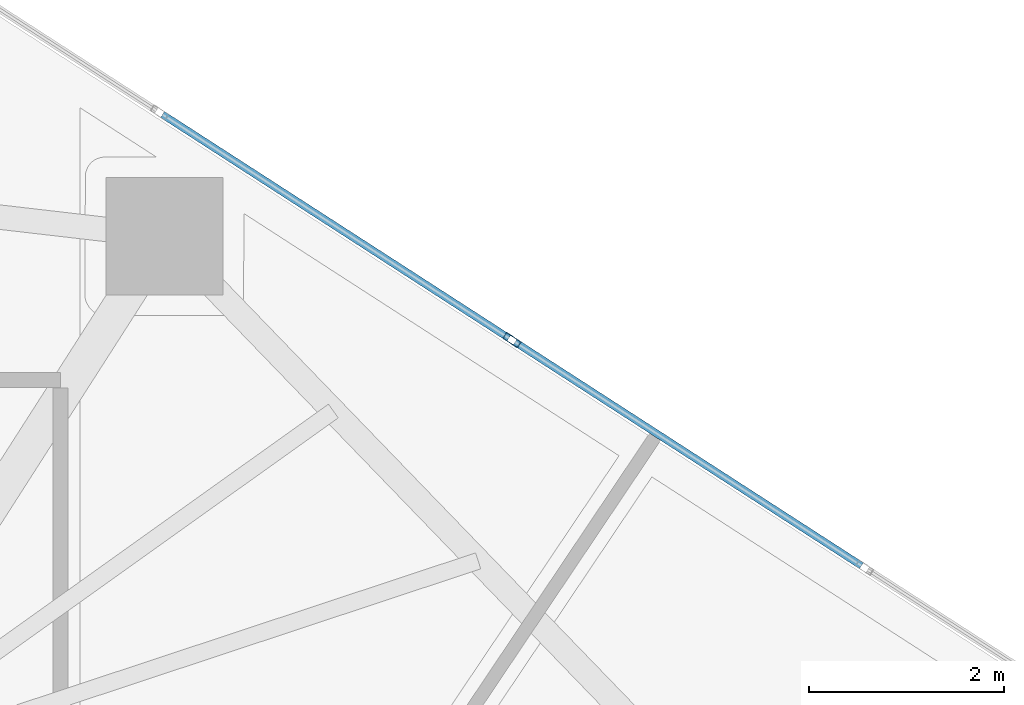
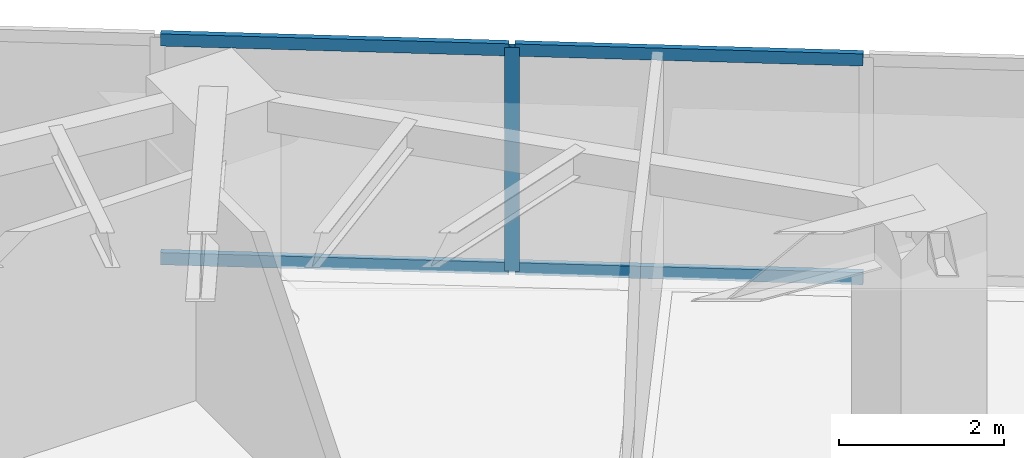
# One storey, part 14 of 20: 5 members, 1 element without a shape of its own.
"""IFC4 building model written with IfcOpenShell, lengths in metres."""

from ifc_helpers import new_model, si_unit, direction, frame, origin, origin_2d, place, context, subcontext, project, spatial, hollow_rectangle, extrude, source, transform, mapped, material, layer, layer_set, material_profile, profile_set, type_object, type_shapes, element, aggregate, save


model = new_model("IFC4")

# Units and contexts
model_context = context("Model", 3, precision=1e-05, world=origin(), true_north=direction((0.0, 1.0)))
body_context = subcontext(model_context, "Body", "Model", "MODEL_VIEW")
ifc_project = project(units=[si_unit("LENGTHUNIT", "METRE"), si_unit("AREAUNIT", "SQUARE_METRE"), si_unit("VOLUMEUNIT", "CUBIC_METRE"), si_unit("PLANEANGLEUNIT", "RADIAN"), si_unit("MASSUNIT", "GRAM", prefix="KILO")], contexts=[model_context])

# Site, building, storey
site_placement = place(None, origin())
site = spatial("IfcSite", under=ifc_project, at=site_placement, CompositionType="ELEMENT")
building_placement = place(site_placement, origin())
building = spatial("IfcBuilding", under=site, at=building_placement, Name="Talar Marvaseh", CompositionType="ELEMENT")
storey_placement = place(building_placement, frame((0.0, 0.0, 136.199951171875)))
storey = spatial("IfcBuildingStorey", under=building, at=storey_placement, Name="L35", CompositionType="ELEMENT", Elevation=136.199951171875)

# Curtain wall, members
ifc_material = material(Name="Architectural Aluminium", Category="aluminium")
ifc_layer = layer(ifc_material, 0.199951171875)
ifc_layer_set = layer_set([ifc_layer], Name="Architectural Aluminium")
curtain_wall_type = type_object("IfcCurtainWallType", Name="Unitised Acoustic Library Curtain Wall Z2", PredefinedType="NOTDEFINED", material=ifc_layer_set)
curtain_wall_placement = place(storey_placement, origin())
curtain_wall = element("IfcCurtainWall", 1, at=curtain_wall_placement, inside=storey, type_object=curtain_wall_type, Name="L35 Unitised Acoustic Library Curtain Wall Z2", PredefinedType="NOTDEFINED")
ifc_material_profile_1 = material_profile(ifc_material, hollow_rectangle(XDim=0.074951171875, YDim=0.179931640625, WallThickness=0.0048828125, at=origin_2d()), Name="RHS180x75x5")
ifc_profile_set_1 = profile_set([ifc_material_profile_1], Name="Architectural Aluminium")
member_type_1 = type_object("IfcMemberType", Name="Unitised Curtain Wall Standard Mullion RHS180x75x5", PredefinedType="MULLION", material=ifc_profile_set_1)
shared_shape_1 = source(origin(), body_context, "Body", "SweptSolid", [
    extrude(hollow_rectangle(XDim=0.074951171875, YDim=0.179931640625, WallThickness=0.0048828125, at=origin_2d()), origin(), (0.0, 0.0, 1.0), 3.31005859375),
])
type_shapes(member_type_1, [shared_shape_1])
member_1_placement = place(storey_placement, frame((40.425537109375, 41.406494140625, 0.0), z_axis=(0.0, 0.0, 1.0), x_axis=(0.542385863972, 0.840129498686, 0.0)))
member_1 = element("IfcMember", 2, at=member_1_placement, type_object=member_type_1, Name="CW-Z2 mullion 3", PredefinedType="MULLION", context=body_context, shape_type="MappedRepresentation", body=[
    mapped(shared_shape_1, transform((0.0, 0.0, 0.0), x_axis=(1.0, 0.0, 0.0), y_axis=(0.0, 1.0, 0.0), z_axis=(0.0, 0.0, 1.0), scale=1.0)),
])
ifc_material_profile_2 = material_profile(ifc_material, hollow_rectangle(XDim=0.074951171875, YDim=0.179931640625, WallThickness=0.0048828125, at=origin_2d()), Name="RHS180x75x5")
ifc_profile_set_2 = profile_set([ifc_material_profile_2], Name="Architectural Aluminium")
member_type_2 = type_object("IfcMemberType", Name="Unitised Curtain Wall Transom RHS180x75x5", PredefinedType="USERDEFINED", material=ifc_profile_set_2)
shared_shape_2 = source(origin(), body_context, "Body", "SweptSolid", [
    extrude(hollow_rectangle(XDim=0.074951171875, YDim=0.179931640625, WallThickness=0.0048828125, at=origin_2d()), origin(), (0.0, 0.0, 1.0), 4.222900390625),
])
type_shapes(member_type_2, [shared_shape_2])
member_2_placement = place(storey_placement, frame((36.84619140625, 43.71728515625, 0.03759765625), z_axis=(0.840124996454, -0.54239283765, 0.0), x_axis=(0.54239283765, 0.840124996454, 0.0)))
member_2 = element("IfcMember", 3, at=member_2_placement, type_object=member_type_2, Name="CW-Z2 transom 2.1", ObjectType="TRANSOM", PredefinedType="USERDEFINED", context=body_context, shape_type="MappedRepresentation", body=[
    mapped(shared_shape_2, transform((0.0, 0.0, 0.0), x_axis=(1.0, 0.0, 0.0), y_axis=(0.0, 1.0, 0.0), z_axis=(0.0, 0.0, 1.0), scale=1.0)),
])
member_3_placement = place(storey_placement, frame((36.84619140625, 43.71728515625, 3.2724609375), z_axis=(0.840124996454, -0.54239283765, 0.0), x_axis=(0.54239283765, 0.840124996454, 0.0)))
member_3 = element("IfcMember", 4, at=member_3_placement, type_object=member_type_2, Name="CW-Z2 transom 2.2", ObjectType="TRANSOM", PredefinedType="USERDEFINED", context=body_context, shape_type="MappedRepresentation", body=[
    mapped(shared_shape_2, transform((0.0, 0.0, 0.0), x_axis=(1.0, 0.0, 0.0), y_axis=(0.0, 1.0, 0.0), z_axis=(0.0, 0.0, 1.0), scale=1.0)),
])
member_4_placement = place(storey_placement, frame((40.45703125, 41.38623046875, 0.03759765625), z_axis=(0.840124996454, -0.54239283765, 0.0), x_axis=(0.54239283765, 0.840124996454, 0.0)))
member_4 = element("IfcMember", 5, at=member_4_placement, type_object=member_type_2, Name="CW-Z2 transom 3.1", ObjectType="TRANSOM", PredefinedType="USERDEFINED", context=body_context, shape_type="MappedRepresentation", body=[
    mapped(shared_shape_2, transform((0.0, 0.0, 0.0), x_axis=(1.0, 0.0, 0.0), y_axis=(0.0, 1.0, 0.0), z_axis=(0.0, 0.0, 1.0), scale=1.0)),
])
member_5_placement = place(storey_placement, frame((40.45703125, 41.38623046875, 3.2724609375), z_axis=(0.840124996454, -0.54239283765, 0.0), x_axis=(0.54239283765, 0.840124996454, 0.0)))
member_5 = element("IfcMember", 6, at=member_5_placement, type_object=member_type_2, Name="CW-Z2 transom 3.2", ObjectType="TRANSOM", PredefinedType="USERDEFINED", context=body_context, shape_type="MappedRepresentation", body=[
    mapped(shared_shape_2, transform((0.0, 0.0, 0.0), x_axis=(1.0, 0.0, 0.0), y_axis=(0.0, 1.0, 0.0), z_axis=(0.0, 0.0, 1.0), scale=1.0)),
])
aggregate(curtain_wall, [member_1, member_2, member_3, member_4, member_5])

save(model, "model.ifc")
